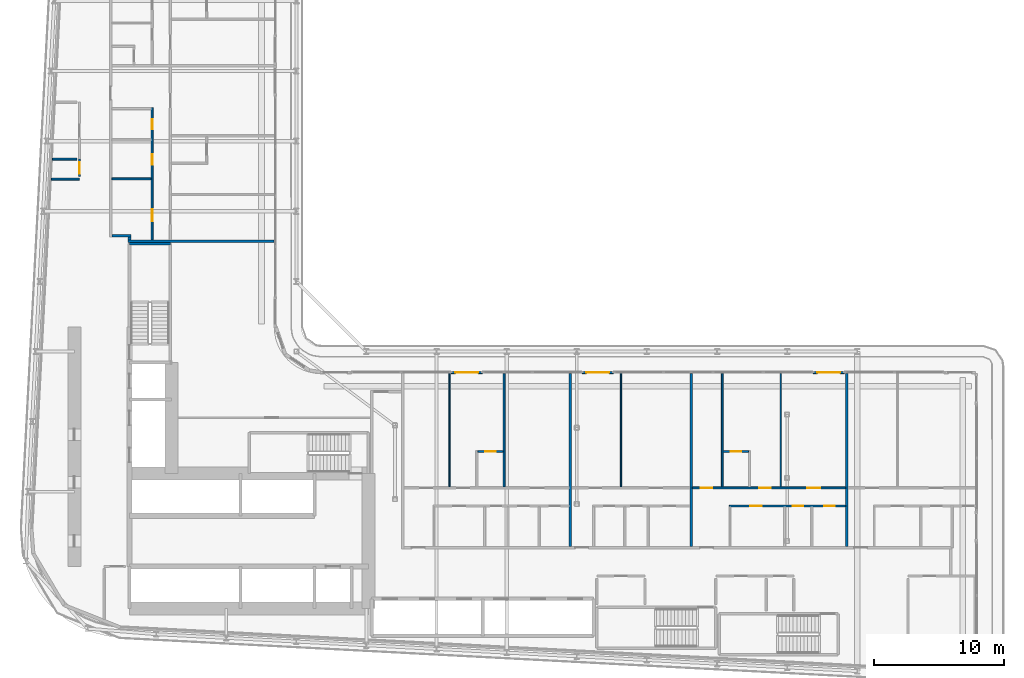
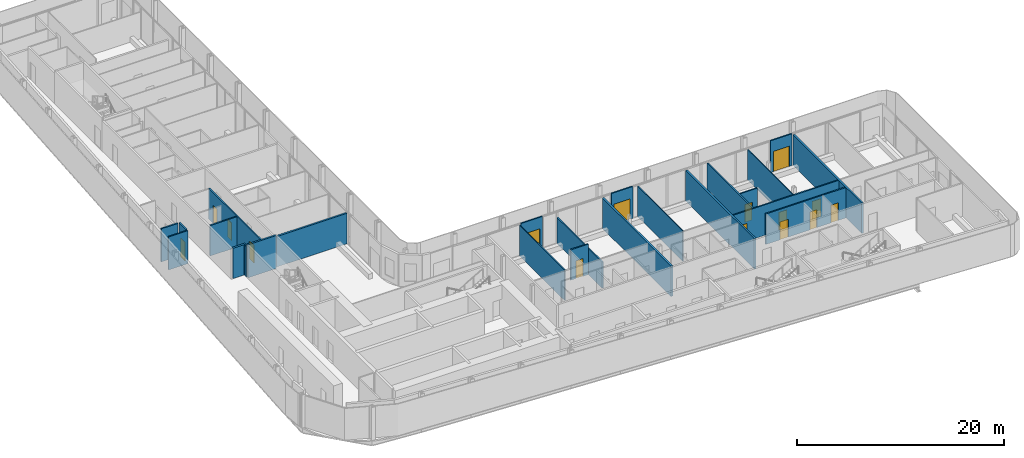
# One storey, part 15 of 27: 24 walls, 15 doors, 15 openings.
"""IFC4 building model written with IfcOpenShell, lengths in metres."""

from ifc_helpers import new_model, si_unit, direction, frame, frame_2d, origin, place, context, subcontext, project, spatial, rectangle, extrude, source, transform, mapped, material, layer, layer_set, type_object, element, fill, save


model = new_model("IFC4")

# Units and contexts
model_context = context("Model", 3, precision=1e-05, world=origin(), true_north=direction((0.0, 1.0)))
body_context = subcontext(model_context, "Body", "Model", "MODEL_VIEW")
ifc_project = project(units=[si_unit("LENGTHUNIT", "METRE"), si_unit("AREAUNIT", "SQUARE_METRE"), si_unit("VOLUMEUNIT", "CUBIC_METRE"), si_unit("PLANEANGLEUNIT", "RADIAN"), si_unit("MASSUNIT", "GRAM", prefix="KILO")], contexts=[model_context])

# Site, building, storey
site_placement = place(None, origin())
site = spatial("IfcSite", under=ifc_project, at=site_placement, CompositionType="ELEMENT")
building_placement = place(site_placement, origin())
building = spatial("IfcBuilding", under=site, at=building_placement, Name="Kheshtan School and Residences Tower", CompositionType="ELEMENT")
storey_placement = place(building_placement, frame((0.0, 0.0, 57.800048828125)))
storey = spatial("IfcBuildingStorey", under=building, at=storey_placement, Name="L13", CompositionType="ELEMENT", Elevation=57.800048828125)

# Walls
ifc_material_1 = material(Name="Gypsum board on steel studs with fire boards", Category="steel")
ifc_layer_1 = layer(ifc_material_1, 0.199951171875)
ifc_layer_set_1 = layer_set([ifc_layer_1], Name="Corridor wall 200")
wall_type_1 = type_object("IfcWallType", Name="Corridor wall 200", PredefinedType="PARTITIONING", material=ifc_layer_set_1)
wall_1_placement = place(storey_placement, frame((33.39990234375, 54.5, 0.0), z_axis=(0.0, 0.0, 1.0), x_axis=(1.0, 0.0, 0.0)))
element("IfcWall", 1, at=wall_1_placement, inside=storey, type_object=wall_type_1, Name="Partition L13-005", PredefinedType="PARTITIONING", context=body_context, shape_type="SweptSolid", body=[
    extrude(rectangle(XDim=1.4501953125, YDim=0.199951171875, at=frame_2d((0.72509765625, 0.0))), origin(), (0.0, 0.0, 1.0), 3.599853515625),
])
wall_2_placement = place(storey_placement, frame((34.75, 54.199951171875, 0.0), z_axis=(0.0, 0.0, 1.0), x_axis=(0.0, 1.0, 0.0)))
element("IfcWall", 2, at=wall_2_placement, inside=storey, type_object=wall_type_1, Name="Partition L13-019", PredefinedType="PARTITIONING", context=body_context, shape_type="SweptSolid", body=[
    extrude(rectangle(XDim=0.199951171875, YDim=0.199951171875, at=frame_2d((0.10009765625, 0.0))), origin(), (0.0, 0.0, 1.0), 3.599853515625),
])

# Wall, opening, door
ifc_material_2 = material(Name="Aluminium frame wall with insulated infill", Category="aluminium")
ifc_layer_2 = layer(ifc_material_2, 0.14990234375)
ifc_layer_set_2 = layer_set([ifc_layer_2], Name="Glazing frame wall 150")
wall_type_2 = type_object("IfcWallType", Name="Glazing frame wall 150", PredefinedType="SOLIDWALL", material=ifc_layer_set_2)
wall_3_placement = place(storey_placement, frame((59.52392578125, 43.97509765625, 0.0), z_axis=(0.0, 0.0, 1.0), x_axis=(1.0, 0.0, 0.0)))
wall_3 = element("IfcWall", 3, at=wall_3_placement, inside=storey, type_object=wall_type_2, Name="Balcony door wall L13 12.2", PredefinedType="SOLIDWALL", context=body_context, shape_type="SweptSolid", body=[
    extrude(rectangle(XDim=2.400146484375, YDim=0.14990234375, at=frame_2d((1.2001953125, 0.0))), origin(), (0.0, 0.0, 1.0), 3.75),
])
opening_1_placement = place(wall_3_placement, frame((0.300048828125, 0.0, 0.0)))
opening_1 = element("IfcOpeningElement", 4, at=opening_1_placement, cuts=wall_3, Name="Opening BD", PredefinedType="OPENING", context=body_context, shape_type="SweptSolid", body=[
    extrude(rectangle(XDim=1.800048828125, YDim=2.39990234375, at=frame_2d((0.89990234375, 1.199951171875))), frame((0.0, 0.0849609375, 0.0), z_axis=(0.0, -1.0, 0.0), x_axis=(1.0, 0.0, 0.0)), (0.0, 0.0, 1.0), 0.169921875),
])
ifc_material_3 = material(Name="Clear low-e glass in thermally broken aluminium frame", Category="aluminium")
door_type_1 = type_object("IfcDoorType", Name="Balcony sliding door", OperationType="SLIDING_TO_LEFT", PredefinedType="DOOR", material=ifc_material_3)
shared_shape_1 = source(origin(), body_context, "Body", "SweptSolid", [
    extrude(rectangle(XDim=1.800048828125, YDim=2.39990234375, at=frame_2d((0.89990234375, 1.199951171875))), frame((0.0, 0.02490234375, 0.0), z_axis=(0.0, -1.0, 0.0), x_axis=(1.0, 0.0, 0.0)), (0.0, 0.0, 1.0), 0.050048828125),
])
door_1_placement = place(opening_1_placement, origin())
door_1 = element("IfcDoor", 5, at=door_1_placement, inside=storey, type_object=door_type_1, Name="Balcony door L13 12.2", OperationType="SLIDING_TO_LEFT", OverallHeight=2.39990234375, OverallWidth=1.800048828125, PredefinedType="DOOR", context=body_context, shape_type="MappedRepresentation", body=[
    mapped(shared_shape_1, transform((0.0, 0.0, 0.0), x_axis=(1.0, 0.0, 0.0), y_axis=(0.0, 1.0, 0.0), z_axis=(0.0, 0.0, 1.0), scale=1.0)),
])
fill(opening_1, door_1)

wall_4_placement = place(storey_placement, frame((69.617919921875, 43.97509765625, 0.0), z_axis=(0.0, 0.0, 1.0), x_axis=(1.0, 0.0, 0.0)))
wall_4 = element("IfcWall", 6, at=wall_4_placement, inside=storey, type_object=wall_type_2, Name="Balcony door wall L13 12.3", PredefinedType="SOLIDWALL", context=body_context, shape_type="SweptSolid", body=[
    extrude(rectangle(XDim=2.400146484375, YDim=0.14990234375, at=frame_2d((1.2001953125, 0.0))), origin(), (0.0, 0.0, 1.0), 3.75),
])
opening_2_placement = place(wall_4_placement, frame((0.300048828125, 0.0, 0.0)))
opening_2 = element("IfcOpeningElement", 7, at=opening_2_placement, cuts=wall_4, Name="Opening BD", PredefinedType="OPENING", context=body_context, shape_type="SweptSolid", body=[
    extrude(rectangle(XDim=1.800048828125, YDim=2.39990234375, at=frame_2d((0.89990234375, 1.199951171875))), frame((0.0, 0.0849609375, 0.0), z_axis=(0.0, -1.0, 0.0), x_axis=(1.0, 0.0, 0.0)), (0.0, 0.0, 1.0), 0.169921875),
])
door_2_placement = place(opening_2_placement, origin())
door_2 = element("IfcDoor", 8, at=door_2_placement, inside=storey, type_object=door_type_1, Name="Balcony door L13 12.3", OperationType="SLIDING_TO_LEFT", OverallHeight=2.39990234375, OverallWidth=1.800048828125, PredefinedType="DOOR", context=body_context, shape_type="MappedRepresentation", body=[
    mapped(shared_shape_1, transform((0.0, 0.0, 0.0), x_axis=(1.0, 0.0, 0.0), y_axis=(0.0, 1.0, 0.0), z_axis=(0.0, 0.0, 1.0), scale=1.0)),
])
fill(opening_2, door_2)

wall_5_placement = place(storey_placement, frame((87.406005859375, 43.97509765625, 0.0), z_axis=(0.0, 0.0, 1.0), x_axis=(1.0, 0.0, 0.0)))
wall_5 = element("IfcWall", 9, at=wall_5_placement, inside=storey, type_object=wall_type_2, Name="Balcony door wall L13 12.4", PredefinedType="SOLIDWALL", context=body_context, shape_type="SweptSolid", body=[
    extrude(rectangle(XDim=2.39990234375, YDim=0.14990234375, at=frame_2d((1.199951171875, 0.0))), origin(), (0.0, 0.0, 1.0), 3.75),
])
opening_3_placement = place(wall_5_placement, frame((0.300048828125, 0.0, 0.0)))
opening_3 = element("IfcOpeningElement", 10, at=opening_3_placement, cuts=wall_5, Name="Opening BD", PredefinedType="OPENING", context=body_context, shape_type="SweptSolid", body=[
    extrude(rectangle(XDim=1.800048828125, YDim=2.39990234375, at=frame_2d((0.89990234375, 1.199951171875))), frame((0.0, 0.0849609375, 0.0), z_axis=(0.0, -1.0, 0.0), x_axis=(1.0, 0.0, 0.0)), (0.0, 0.0, 1.0), 0.169921875),
])
door_3_placement = place(opening_3_placement, origin())
door_3 = element("IfcDoor", 11, at=door_3_placement, inside=storey, type_object=door_type_1, Name="Balcony door L13 12.4", OperationType="SLIDING_TO_LEFT", OverallHeight=2.39990234375, OverallWidth=1.800048828125, PredefinedType="DOOR", context=body_context, shape_type="MappedRepresentation", body=[
    mapped(shared_shape_1, transform((0.0, 0.0, 0.0), x_axis=(1.0, 0.0, 0.0), y_axis=(0.0, 1.0, 0.0), z_axis=(0.0, 0.0, 1.0), scale=1.0)),
])
fill(opening_3, door_3)

# Walls
ifc_material_4 = material(Name="Gypsum board on steel studs", Category="steel")
ifc_layer_3 = layer(ifc_material_4, 0.10009765625)
ifc_layer_set_3 = layer_set([ifc_layer_3], Name="Gypsum partition 100")
wall_type_3 = type_object("IfcWallType", Name="Gypsum partition 100", PredefinedType="PARTITIONING", material=ifc_layer_set_3)
for number, where, z_axis, x_axis, name in (
    (12, (59.39990234375, 35.175048828125, 0.0), (0.0, 0.0, 1.0), (0.0, 1.0, 0.0), "Partition L13-050"),
    (13, (72.60009765625, 35.175048828125, 0.0), (0.0, 0.0, 1.0), (0.0, 1.0, 0.0), "Partition L13-061"),
    (14, (84.89990234375, 35.175048828125, 0.0), (0.0, 0.0, 1.0), (0.0, 1.0, 0.0), "Partition L13-071"),
):
    element("IfcWall", number, at=place(storey_placement, frame(where, z_axis=z_axis, x_axis=x_axis)), inside=storey, type_object=wall_type_3, Name=name, PredefinedType="PARTITIONING", context=body_context, shape_type="SweptSolid", body=[
        extrude(rectangle(XDim=8.724853515625, YDim=0.10009765625, at=frame_2d((4.3623046875, 0.0))), origin(), (0.0, 0.0, 1.0), 3.599853515625),
    ])
ifc_material_5 = material(Name="Fire-board shaft wall system")
ifc_layer_4 = layer(ifc_material_5, 0.14990234375)
ifc_layer_set_4 = layer_set([ifc_layer_4], Name="Service room wall 150")
wall_type_4 = type_object("IfcWallType", Name="Service room wall 150", PredefinedType="PARTITIONING", material=ifc_layer_set_4)
wall_6_placement = place(storey_placement, frame((28.738037109375, 58.8720703125, 0.0), z_axis=(0.0, 0.0, 1.0), x_axis=(1.0, 0.0, 0.0)))
element("IfcWall", 15, at=wall_6_placement, inside=storey, type_object=wall_type_4, Name="Service room wall", PredefinedType="PARTITIONING", context=body_context, shape_type="SweptSolid", body=[
    extrude(rectangle(XDim=2.161865234375, YDim=0.14990234375, at=frame_2d((1.0810546875, 0.0))), origin(), (0.0, 0.0, 1.0), 3.89990234375),
])

# Wall, opening, door
wall_7_placement = place(storey_placement, frame((30.89990234375, 59.06689453125, 0.0), z_axis=(0.0, 0.0, 1.0), x_axis=(0.0, 1.0, 0.0)))
wall_7 = element("IfcWall", 16, at=wall_7_placement, inside=storey, type_object=wall_type_4, Name="Service room wall", PredefinedType="PARTITIONING", context=body_context, shape_type="SweptSolid", body=[
    extrude(rectangle(XDim=1.34716796875, YDim=0.14990234375, at=frame_2d((0.673583984375, 0.0))), origin(), (0.0, 0.0, 1.0), 3.89990234375),
])
opening_4_placement = place(wall_7_placement, frame((0.22607421875, 0.0, 0.0)))
opening_4 = element("IfcOpeningElement", 17, at=opening_4_placement, cuts=wall_7, Name="Opening SR90", PredefinedType="OPENING", context=body_context, shape_type="SweptSolid", body=[
    extrude(rectangle(XDim=0.89990234375, YDim=2.199951171875, at=frame_2d((0.449951171875, 1.10009765625))), frame((0.0, 0.0849609375, 0.0), z_axis=(0.0, -1.0, 0.0), x_axis=(1.0, 0.0, 0.0)), (0.0, 0.0, 1.0), 0.169921875),
])
ifc_material_6 = material(Name="Steel door leaf, galvanised", Category="steel")
door_type_2 = type_object("IfcDoorType", Name="Service room door 900 steel 90 min", OperationType="SINGLE_SWING_LEFT", PredefinedType="DOOR", material=ifc_material_6)
shared_shape_2 = source(origin(), body_context, "Body", "SweptSolid", [
    extrude(rectangle(XDim=0.89990234375, YDim=2.199951171875, at=frame_2d((0.449951171875, 1.10009765625))), frame((0.0, 0.02490234375, 0.0), z_axis=(0.0, -1.0, 0.0), x_axis=(1.0, 0.0, 0.0)), (0.0, 0.0, 1.0), 0.050048828125),
])
door_4_placement = place(opening_4_placement, origin())
door_4 = element("IfcDoor", 18, at=door_4_placement, inside=storey, type_object=door_type_2, Name="Service room door", OperationType="SINGLE_SWING_LEFT", OverallHeight=2.199951171875, OverallWidth=0.89990234375, PredefinedType="DOOR", context=body_context, shape_type="MappedRepresentation", body=[
    mapped(shared_shape_2, transform((0.0, 0.0, 0.0), x_axis=(1.0, 0.0, 0.0), y_axis=(0.0, 1.0, 0.0), z_axis=(0.0, 0.0, 1.0), scale=1.0)),
])
fill(opening_4, door_4)

# Walls
wall_8_placement = place(storey_placement, frame((28.820068359375, 60.4140625, 0.0), z_axis=(0.0, 0.0, 1.0), x_axis=(1.0, 0.0, 0.0)))
element("IfcWall", 19, at=wall_8_placement, inside=storey, type_object=wall_type_4, Name="Service room wall", PredefinedType="PARTITIONING", context=body_context, shape_type="SweptSolid", body=[
    extrude(rectangle(XDim=1.885009765625, YDim=0.14990234375, at=frame_2d((0.9423828125, 0.0))), origin(), (0.0, 0.0, 1.0), 3.89990234375),
])
ifc_material_7 = material(Name="Concrete C40/50", Category="concrete")
ifc_layer_5 = layer(ifc_material_7, 0.199951171875)
ifc_layer_set_5 = layer_set([ifc_layer_5], Name="Stair enclosure wall 200 Concrete C40/50")
wall_type_5 = type_object("IfcWallType", Name="Stair enclosure wall 200 Concrete C40/50", PredefinedType="SHEAR", material=ifc_layer_set_5)
wall_9_placement = place(storey_placement, frame((34.75, 53.909912109375, 0.0), z_axis=(0.0, 0.0, 1.0), x_axis=(1.0, 0.0, 0.0)))
element("IfcWall", 20, at=wall_9_placement, inside=storey, type_object=wall_type_5, Name="Stair enclosure wall ST2", PredefinedType="SHEAR", context=body_context, shape_type="SweptSolid", body=[
    extrude(rectangle(XDim=3.14990234375, YDim=0.199951171875, at=frame_2d((1.574951171875, 0.0))), origin(), (0.0, 0.0, 1.0), 3.89990234375),
])
ifc_material_8 = material(Name="Twin gypsum board on steel studs with mineral wool", Category="steel")
ifc_layer_6 = layer(ifc_material_8, 0.199951171875)
ifc_layer_set_6 = layer_set([ifc_layer_6], Name="Unit demising wall 200")
wall_type_6 = type_object("IfcWallType", Name="Unit demising wall 200", PredefinedType="PARTITIONING", material=ifc_layer_set_6)
wall_10_placement = place(storey_placement, frame((34.64990234375, 54.10009765625, 0.0), z_axis=(0.0, 0.0, 1.0), x_axis=(1.0, 0.0, 0.0)))
element("IfcWall", 21, at=wall_10_placement, inside=storey, type_object=wall_type_6, Name="Partition L13-018", PredefinedType="PARTITIONING", context=body_context, shape_type="SweptSolid", body=[
    extrude(rectangle(XDim=11.25, YDim=0.199951171875, at=frame_2d((5.625, 0.0))), origin(), (0.0, 0.0, 1.0), 3.599853515625),
])
for number, where, z_axis, x_axis, name in (
    (22, (68.699951171875, 30.60009765625, 0.0), (0.0, 0.0, 1.0), (0.0, 1.0, 0.0), "Partition L13-057"),
    (23, (78.0, 30.60009765625, 0.0), (0.0, 0.0, 1.0), (0.0, 1.0, 0.0), "Partition L13-064"),
    (24, (90.0, 30.60009765625, 0.0), (0.0, 0.0, 1.0), (0.0, 1.0, 0.0), "Partition L13-074"),
):
    element("IfcWall", number, at=place(storey_placement, frame(where, z_axis=z_axis, x_axis=x_axis)), inside=storey, type_object=wall_type_6, Name=name, PredefinedType="PARTITIONING", context=body_context, shape_type="SweptSolid", body=[
        extrude(rectangle(XDim=13.2998046875, YDim=0.199951171875, at=frame_2d((6.64990234375, 0.0))), origin(), (0.0, 0.0, 1.0), 3.599853515625),
    ])
ifc_material_9 = material(Name="Moisture-resistant gypsum board on steel studs", Category="steel")
ifc_layer_7 = layer(ifc_material_9, 0.14990234375)
ifc_layer_set_7 = layer_set([ifc_layer_7], Name="Wet-room partition 150")
wall_type_7 = type_object("IfcWallType", Name="Wet-room partition 150", PredefinedType="PARTITIONING", material=ifc_layer_set_7)
wall_11_placement = place(storey_placement, frame((33.39990234375, 58.89990234375, 0.0), z_axis=(0.0, 0.0, 1.0), x_axis=(1.0, 0.0, 0.0)))
element("IfcWall", 25, at=wall_11_placement, inside=storey, type_object=wall_type_7, Name="Partition L13-006", PredefinedType="PARTITIONING", context=body_context, shape_type="SweptSolid", body=[
    extrude(rectangle(XDim=3.025146484375, YDim=0.14990234375, at=frame_2d((1.5126953125, 0.0))), origin(), (0.0, 0.0, 1.0), 3.599853515625),
])

# Wall, openings, doors
wall_12_placement = place(storey_placement, frame((36.5, 54.199951171875, 0.0), z_axis=(0.0, 0.0, 1.0), x_axis=(0.0, 1.0, 0.0)))
wall_12 = element("IfcWall", 26, at=wall_12_placement, inside=storey, type_object=wall_type_7, Name="Partition L13-022", PredefinedType="PARTITIONING", context=body_context, shape_type="SweptSolid", body=[
    extrude(rectangle(XDim=10.175048828125, YDim=0.14990234375, at=frame_2d((5.08740234375, 0.0))), origin(), (0.0, 0.0, 1.0), 3.599853515625),
])
opening_5_placement = place(wall_12_placement, frame((5.800048828125, 0.0, 0.0)))
opening_5 = element("IfcOpeningElement", 27, at=opening_5_placement, cuts=wall_12, Name="Opening D12-030", PredefinedType="OPENING", context=body_context, shape_type="SweptSolid", body=[
    extrude(rectangle(XDim=0.800048828125, YDim=2.10009765625, at=frame_2d((0.39990234375, 1.050048828125))), frame((0.0, 0.0849609375, 0.0), z_axis=(0.0, -1.0, 0.0), x_axis=(1.0, 0.0, 0.0)), (0.0, 0.0, 1.0), 0.169921875),
])
opening_6_placement = place(wall_12_placement, frame((1.449951171875, 0.0, 0.0)))
opening_6 = element("IfcOpeningElement", 28, at=opening_6_placement, cuts=wall_12, Name="Opening D12-034", PredefinedType="OPENING", context=body_context, shape_type="SweptSolid", body=[
    extrude(rectangle(XDim=0.89990234375, YDim=2.10009765625, at=frame_2d((0.449951171875, 1.050048828125))), frame((0.0, 0.0849609375, 0.0), z_axis=(0.0, -1.0, 0.0), x_axis=(1.0, 0.0, 0.0)), (0.0, 0.0, 1.0), 0.169921875),
])
opening_7_placement = place(wall_12_placement, frame((8.5, 0.0, 0.0)))
opening_7 = element("IfcOpeningElement", 29, at=opening_7_placement, cuts=wall_12, Name="Opening D12-037", PredefinedType="OPENING", context=body_context, shape_type="SweptSolid", body=[
    extrude(rectangle(XDim=0.800048828125, YDim=2.10009765625, at=frame_2d((0.39990234375, 1.050048828125))), frame((0.0, 0.0849609375, 0.0), z_axis=(0.0, -1.0, 0.0), x_axis=(1.0, 0.0, 0.0)), (0.0, 0.0, 1.0), 0.169921875),
])
ifc_material_10 = material(Name="Veneered timber door leaf", Category="wood")
door_type_3 = type_object("IfcDoorType", Name="Door 800 x 2100", OperationType="SINGLE_SWING_LEFT", PredefinedType="DOOR", material=ifc_material_10)
shared_shape_3 = source(origin(), body_context, "Body", "SweptSolid", [
    extrude(rectangle(XDim=0.800048828125, YDim=2.10009765625, at=frame_2d((0.39990234375, 1.050048828125))), frame((0.0, 0.02490234375, 0.0), z_axis=(0.0, -1.0, 0.0), x_axis=(1.0, 0.0, 0.0)), (0.0, 0.0, 1.0), 0.050048828125),
])
door_5_placement = place(opening_5_placement, origin())
door_5 = element("IfcDoor", 30, at=door_5_placement, inside=storey, type_object=door_type_3, Name="Door D12-030", OperationType="SINGLE_SWING_RIGHT", OverallHeight=2.10009765625, OverallWidth=0.800048828125, PredefinedType="DOOR", context=body_context, shape_type="MappedRepresentation", body=[
    mapped(shared_shape_3, transform((0.0, 0.0, 0.0), x_axis=(1.0, 0.0, 0.0), y_axis=(0.0, 1.0, 0.0), z_axis=(0.0, 0.0, 1.0), scale=1.0)),
])
fill(opening_5, door_5)
door_6_placement = place(opening_7_placement, origin())
door_6 = element("IfcDoor", 31, at=door_6_placement, inside=storey, type_object=door_type_3, Name="Door D12-037", OperationType="SINGLE_SWING_LEFT", OverallHeight=2.10009765625, OverallWidth=0.800048828125, PredefinedType="DOOR", context=body_context, shape_type="MappedRepresentation", body=[
    mapped(shared_shape_3, transform((0.0, 0.0, 0.0), x_axis=(1.0, 0.0, 0.0), y_axis=(0.0, 1.0, 0.0), z_axis=(0.0, 0.0, 1.0), scale=1.0)),
])
fill(opening_7, door_6)
door_type_4 = type_object("IfcDoorType", Name="Door 900 x 2100", OperationType="SINGLE_SWING_LEFT", PredefinedType="DOOR", material=ifc_material_10)
shared_shape_4 = source(origin(), body_context, "Body", "SweptSolid", [
    extrude(rectangle(XDim=0.89990234375, YDim=2.10009765625, at=frame_2d((0.449951171875, 1.050048828125))), frame((0.0, 0.02490234375, 0.0), z_axis=(0.0, -1.0, 0.0), x_axis=(1.0, 0.0, 0.0)), (0.0, 0.0, 1.0), 0.050048828125),
])
door_7_placement = place(opening_6_placement, origin())
door_7 = element("IfcDoor", 32, at=door_7_placement, inside=storey, type_object=door_type_4, Name="Door D12-034", OperationType="SINGLE_SWING_RIGHT", OverallHeight=2.10009765625, OverallWidth=0.89990234375, PredefinedType="DOOR", context=body_context, shape_type="MappedRepresentation", body=[
    mapped(shared_shape_4, transform((0.0, 0.0, 0.0), x_axis=(1.0, 0.0, 0.0), y_axis=(0.0, 1.0, 0.0), z_axis=(0.0, 0.0, 1.0), scale=1.0)),
])
fill(opening_6, door_7)

# Wall, opening, door
wall_13_placement = place(storey_placement, frame((61.574951171875, 37.89990234375, 0.0), z_axis=(0.0, 0.0, 1.0), x_axis=(1.0, 0.0, 0.0)))
wall_13 = element("IfcWall", 33, at=wall_13_placement, inside=storey, type_object=wall_type_7, Name="Partition L13-052", PredefinedType="PARTITIONING", context=body_context, shape_type="SweptSolid", body=[
    extrude(rectangle(XDim=1.949951171875, YDim=0.14990234375, at=frame_2d((0.97509765625, 0.0))), origin(), (0.0, 0.0, 1.0), 3.599853515625),
])
opening_8_placement = place(wall_13_placement, frame((0.574951171875, 0.0, 0.0)))
opening_8 = element("IfcOpeningElement", 34, at=opening_8_placement, cuts=wall_13, Name="Opening D12-004", PredefinedType="OPENING", context=body_context, shape_type="SweptSolid", body=[
    extrude(rectangle(XDim=0.800048828125, YDim=2.10009765625, at=frame_2d((0.39990234375, 1.050048828125))), frame((0.0, 0.0849609375, 0.0), z_axis=(0.0, -1.0, 0.0), x_axis=(1.0, 0.0, 0.0)), (0.0, 0.0, 1.0), 0.169921875),
])
door_8_placement = place(opening_8_placement, origin())
door_8 = element("IfcDoor", 35, at=door_8_placement, inside=storey, type_object=door_type_3, Name="Door D12-004", OperationType="SINGLE_SWING_LEFT", OverallHeight=2.10009765625, OverallWidth=0.800048828125, PredefinedType="DOOR", context=body_context, shape_type="MappedRepresentation", body=[
    mapped(shared_shape_3, transform((0.0, 0.0, 0.0), x_axis=(1.0, 0.0, 0.0), y_axis=(0.0, 1.0, 0.0), z_axis=(0.0, 0.0, 1.0), scale=1.0)),
])
fill(opening_8, door_8)

# Wall
wall_14_placement = place(storey_placement, frame((63.60009765625, 35.175048828125, 0.0), z_axis=(0.0, 0.0, 1.0), x_axis=(0.0, 1.0, 0.0)))
element("IfcWall", 36, at=wall_14_placement, inside=storey, type_object=wall_type_7, Name="Partition L13-054", PredefinedType="PARTITIONING", context=body_context, shape_type="SweptSolid", body=[
    extrude(rectangle(XDim=8.724853515625, YDim=0.14990234375, at=frame_2d((4.3623046875, 0.0))), origin(), (0.0, 0.0, 1.0), 3.072021484375),
])

# Wall, openings, doors
wall_15_placement = place(storey_placement, frame((78.10009765625, 35.10009765625, 0.0), z_axis=(0.0, 0.0, 1.0), x_axis=(1.0, 0.0, 0.0)))
wall_15 = element("IfcWall", 37, at=wall_15_placement, inside=storey, type_object=wall_type_7, Name="Partition L13-065", PredefinedType="PARTITIONING", context=body_context, shape_type="SweptSolid", body=[
    extrude(rectangle(XDim=11.7998046875, YDim=0.14990234375, at=frame_2d((5.89990234375, 0.0))), origin(), (0.0, 0.0, 1.0), 3.599853515625),
])
opening_9_placement = place(wall_15_placement, frame((0.64990234375, 0.0, 0.0)))
opening_9 = element("IfcOpeningElement", 38, at=opening_9_placement, cuts=wall_15, Name="Opening D12-017", PredefinedType="OPENING", context=body_context, shape_type="SweptSolid", body=[
    extrude(rectangle(XDim=0.89990234375, YDim=2.10009765625, at=frame_2d((0.449951171875, 1.050048828125))), frame((0.0, 0.0849609375, 0.0), z_axis=(0.0, -1.0, 0.0), x_axis=(1.0, 0.0, 0.0)), (0.0, 0.0, 1.0), 0.169921875),
])
opening_10_placement = place(wall_15_placement, frame((8.85009765625, 0.0, 0.0)))
opening_10 = element("IfcOpeningElement", 39, at=opening_10_placement, cuts=wall_15, Name="Opening D12-021", PredefinedType="OPENING", context=body_context, shape_type="SweptSolid", body=[
    extrude(rectangle(XDim=1.0, YDim=2.10009765625, at=frame_2d((0.5, 1.050048828125))), frame((0.0, 0.0849609375, 0.0), z_axis=(0.0, -1.0, 0.0), x_axis=(1.0, 0.0, 0.0)), (0.0, 0.0, 1.0), 0.169921875),
])
opening_11_placement = place(wall_15_placement, frame((5.14990234375, 0.0, 0.0)))
opening_11 = element("IfcOpeningElement", 40, at=opening_11_placement, cuts=wall_15, Name="Opening D12-022", PredefinedType="OPENING", context=body_context, shape_type="SweptSolid", body=[
    extrude(rectangle(XDim=0.89990234375, YDim=2.10009765625, at=frame_2d((0.449951171875, 1.050048828125))), frame((0.0, 0.0849609375, 0.0), z_axis=(0.0, -1.0, 0.0), x_axis=(1.0, 0.0, 0.0)), (0.0, 0.0, 1.0), 0.169921875),
])
door_type_5 = type_object("IfcDoorType", Name="Door 1000 x 2100", OperationType="SINGLE_SWING_LEFT", PredefinedType="DOOR", material=ifc_material_10)
shared_shape_5 = source(origin(), body_context, "Body", "SweptSolid", [
    extrude(rectangle(XDim=1.0, YDim=2.10009765625, at=frame_2d((0.5, 1.050048828125))), frame((0.0, 0.02490234375, 0.0), z_axis=(0.0, -1.0, 0.0), x_axis=(1.0, 0.0, 0.0)), (0.0, 0.0, 1.0), 0.050048828125),
])
door_9_placement = place(opening_10_placement, origin())
door_9 = element("IfcDoor", 41, at=door_9_placement, inside=storey, type_object=door_type_5, Name="Door D12-021", OperationType="SINGLE_SWING_LEFT", OverallHeight=2.10009765625, OverallWidth=1.0, PredefinedType="DOOR", context=body_context, shape_type="MappedRepresentation", body=[
    mapped(shared_shape_5, transform((0.0, 0.0, 0.0), x_axis=(1.0, 0.0, 0.0), y_axis=(0.0, 1.0, 0.0), z_axis=(0.0, 0.0, 1.0), scale=1.0)),
])
fill(opening_10, door_9)
door_10_placement = place(opening_9_placement, origin())
door_10 = element("IfcDoor", 42, at=door_10_placement, inside=storey, type_object=door_type_4, Name="Door D12-017", OperationType="SINGLE_SWING_RIGHT", OverallHeight=2.10009765625, OverallWidth=0.89990234375, PredefinedType="DOOR", context=body_context, shape_type="MappedRepresentation", body=[
    mapped(shared_shape_4, transform((0.0, 0.0, 0.0), x_axis=(1.0, 0.0, 0.0), y_axis=(0.0, 1.0, 0.0), z_axis=(0.0, 0.0, 1.0), scale=1.0)),
])
fill(opening_9, door_10)
door_11_placement = place(opening_11_placement, origin())
door_11 = element("IfcDoor", 43, at=door_11_placement, inside=storey, type_object=door_type_4, Name="Door D12-022", OperationType="SINGLE_SWING_LEFT", OverallHeight=2.10009765625, OverallWidth=0.89990234375, PredefinedType="DOOR", context=body_context, shape_type="MappedRepresentation", body=[
    mapped(shared_shape_4, transform((0.0, 0.0, 0.0), x_axis=(1.0, 0.0, 0.0), y_axis=(0.0, 1.0, 0.0), z_axis=(0.0, 0.0, 1.0), scale=1.0)),
])
fill(opening_11, door_11)

# Wall
wall_16_placement = place(storey_placement, frame((80.39990234375, 35.175048828125, 0.0), z_axis=(0.0, 0.0, 1.0), x_axis=(0.0, 1.0, 0.0)))
element("IfcWall", 44, at=wall_16_placement, inside=storey, type_object=wall_type_7, Name="Partition L13-066", PredefinedType="PARTITIONING", context=body_context, shape_type="SweptSolid", body=[
    extrude(rectangle(XDim=8.724853515625, YDim=0.14990234375, at=frame_2d((4.3623046875, 0.0))), origin(), (0.0, 0.0, 1.0), 3.599853515625),
])

# Wall, opening, door
wall_17_placement = place(storey_placement, frame((80.47509765625, 37.89990234375, 0.0), z_axis=(0.0, 0.0, 1.0), x_axis=(1.0, 0.0, 0.0)))
wall_17 = element("IfcWall", 45, at=wall_17_placement, inside=storey, type_object=wall_type_7, Name="Partition L13-067", PredefinedType="PARTITIONING", context=body_context, shape_type="SweptSolid", body=[
    extrude(rectangle(XDim=1.949951171875, YDim=0.14990234375, at=frame_2d((0.97509765625, 0.0))), origin(), (0.0, 0.0, 1.0), 3.599853515625),
])
opening_12_placement = place(wall_17_placement, frame((0.574951171875, 0.0, 0.0)))
opening_12 = element("IfcOpeningElement", 46, at=opening_12_placement, cuts=wall_17, Name="Opening D12-018", PredefinedType="OPENING", context=body_context, shape_type="SweptSolid", body=[
    extrude(rectangle(XDim=0.800048828125, YDim=2.10009765625, at=frame_2d((0.39990234375, 1.050048828125))), frame((0.0, 0.0849609375, 0.0), z_axis=(0.0, -1.0, 0.0), x_axis=(1.0, 0.0, 0.0)), (0.0, 0.0, 1.0), 0.169921875),
])
door_12_placement = place(opening_12_placement, origin())
door_12 = element("IfcDoor", 47, at=door_12_placement, inside=storey, type_object=door_type_3, Name="Door D12-018", OperationType="SINGLE_SWING_LEFT", OverallHeight=2.10009765625, OverallWidth=0.800048828125, PredefinedType="DOOR", context=body_context, shape_type="MappedRepresentation", body=[
    mapped(shared_shape_3, transform((0.0, 0.0, 0.0), x_axis=(1.0, 0.0, 0.0), y_axis=(0.0, 1.0, 0.0), z_axis=(0.0, 0.0, 1.0), scale=1.0)),
])
fill(opening_12, door_12)

# Wall, openings, doors
wall_18_placement = place(storey_placement, frame((80.949951171875, 33.699951171875, 0.0), z_axis=(0.0, 0.0, 1.0), x_axis=(1.0, 0.0, 0.0)))
wall_18 = element("IfcWall", 48, at=wall_18_placement, inside=storey, type_object=wall_type_7, Name="Partition L13-068", PredefinedType="PARTITIONING", context=body_context, shape_type="SweptSolid", body=[
    extrude(rectangle(XDim=8.949951171875, YDim=0.14990234375, at=frame_2d((4.47509765625, 0.0))), origin(), (0.0, 0.0, 1.0), 3.599853515625),
])
opening_13_placement = place(wall_18_placement, frame((7.300048828125, 0.0, 0.0)))
opening_13 = element("IfcOpeningElement", 49, at=opening_13_placement, cuts=wall_18, Name="Opening D12-016", PredefinedType="OPENING", context=body_context, shape_type="SweptSolid", body=[
    extrude(rectangle(XDim=0.800048828125, YDim=2.10009765625, at=frame_2d((0.39990234375, 1.050048828125))), frame((0.0, 0.0849609375, 0.0), z_axis=(0.0, -1.0, 0.0), x_axis=(1.0, 0.0, 0.0)), (0.0, 0.0, 1.0), 0.169921875),
])
opening_14_placement = place(wall_18_placement, frame((1.60009765625, 0.0, 0.0)))
opening_14 = element("IfcOpeningElement", 50, at=opening_14_placement, cuts=wall_18, Name="Opening D12-020", PredefinedType="OPENING", context=body_context, shape_type="SweptSolid", body=[
    extrude(rectangle(XDim=0.89990234375, YDim=2.10009765625, at=frame_2d((0.449951171875, 1.050048828125))), frame((0.0, 0.0849609375, 0.0), z_axis=(0.0, -1.0, 0.0), x_axis=(1.0, 0.0, 0.0)), (0.0, 0.0, 1.0), 0.169921875),
])
opening_15_placement = place(wall_18_placement, frame((4.89990234375, 0.0, 0.0)))
opening_15 = element("IfcOpeningElement", 51, at=opening_15_placement, cuts=wall_18, Name="Opening D12-023", PredefinedType="OPENING", context=body_context, shape_type="SweptSolid", body=[
    extrude(rectangle(XDim=0.800048828125, YDim=2.10009765625, at=frame_2d((0.39990234375, 1.050048828125))), frame((0.0, 0.0849609375, 0.0), z_axis=(0.0, -1.0, 0.0), x_axis=(1.0, 0.0, 0.0)), (0.0, 0.0, 1.0), 0.169921875),
])
door_13_placement = place(opening_13_placement, origin())
door_13 = element("IfcDoor", 52, at=door_13_placement, inside=storey, type_object=door_type_3, Name="Door D12-016", OperationType="SINGLE_SWING_RIGHT", OverallHeight=2.10009765625, OverallWidth=0.800048828125, PredefinedType="DOOR", context=body_context, shape_type="MappedRepresentation", body=[
    mapped(shared_shape_3, transform((0.0, 0.0, 0.0), x_axis=(1.0, 0.0, 0.0), y_axis=(0.0, 1.0, 0.0), z_axis=(0.0, 0.0, 1.0), scale=1.0)),
])
fill(opening_13, door_13)
door_14_placement = place(opening_15_placement, origin())
door_14 = element("IfcDoor", 53, at=door_14_placement, inside=storey, type_object=door_type_3, Name="Door D12-023", OperationType="SINGLE_SWING_RIGHT", OverallHeight=2.10009765625, OverallWidth=0.800048828125, PredefinedType="DOOR", context=body_context, shape_type="MappedRepresentation", body=[
    mapped(shared_shape_3, transform((0.0, 0.0, 0.0), x_axis=(1.0, 0.0, 0.0), y_axis=(0.0, 1.0, 0.0), z_axis=(0.0, 0.0, 1.0), scale=1.0)),
])
fill(opening_15, door_14)
door_15_placement = place(opening_14_placement, origin())
door_15 = element("IfcDoor", 54, at=door_15_placement, inside=storey, type_object=door_type_4, Name="Door D12-020", OperationType="SINGLE_SWING_LEFT", OverallHeight=2.10009765625, OverallWidth=0.89990234375, PredefinedType="DOOR", context=body_context, shape_type="MappedRepresentation", body=[
    mapped(shared_shape_4, transform((0.0, 0.0, 0.0), x_axis=(1.0, 0.0, 0.0), y_axis=(0.0, 1.0, 0.0), z_axis=(0.0, 0.0, 1.0), scale=1.0)),
])
fill(opening_14, door_15)

save(model, "model.ifc")
